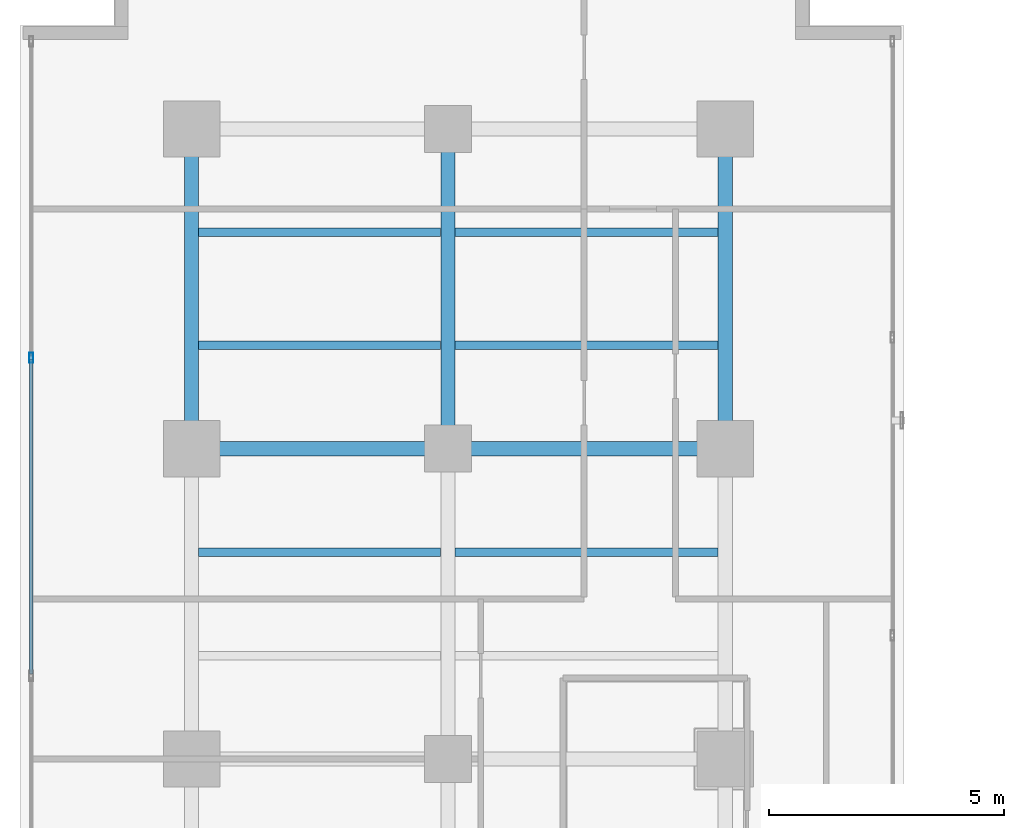
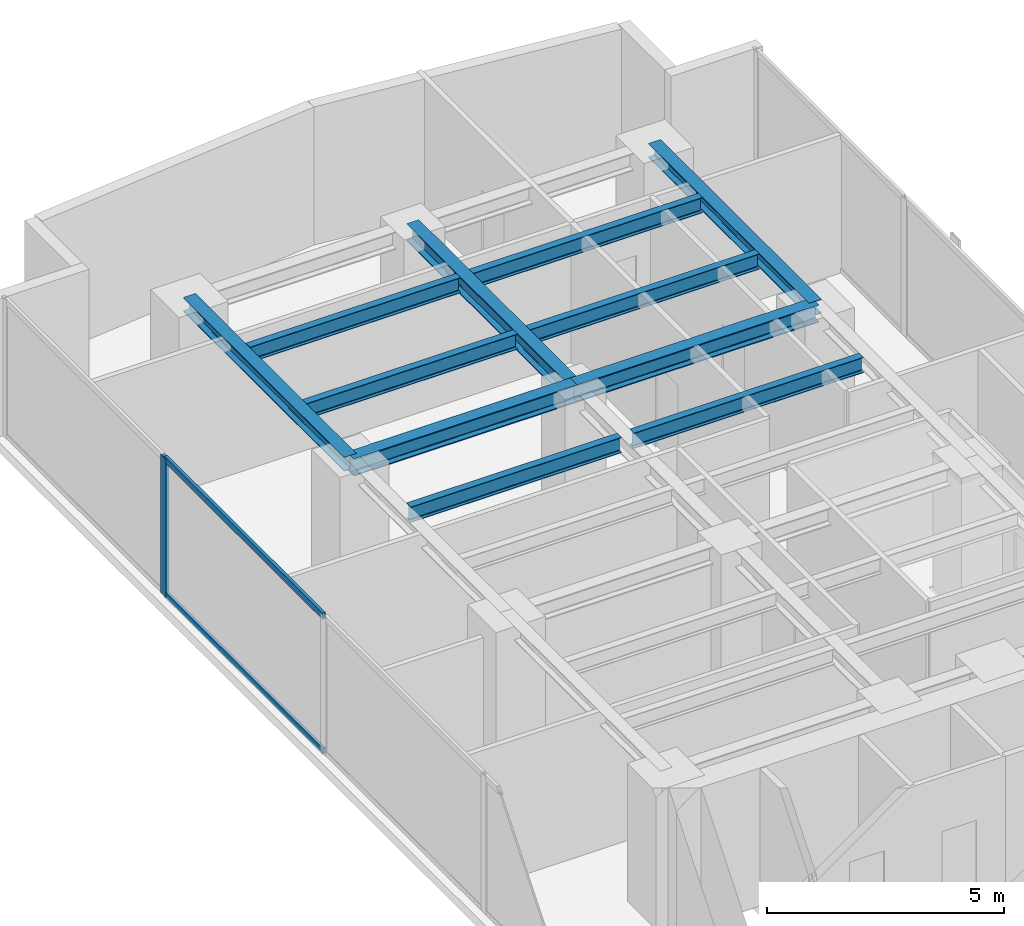
# One storey, part 15 of 26: 11 beams, 3 members, 1 element without a shape of its own.
"""IFC4 building model written with IfcOpenShell, lengths in metres."""

from ifc_helpers import new_model, si_unit, direction, frame, origin, origin_with_axes, origin_2d, place, context, subcontext, project, spatial, hollow_rectangle, i_section, extrude, source, transform, mapped, material, layer, layer_set, material_profile, profile_set, type_object, element, aggregate, save


model = new_model("IFC4")

# Units and contexts
model_context = context("Model", 3, precision=1e-05, world=origin(), true_north=direction((0.0, 1.0)))
body_context = subcontext(model_context, "Body", "Model", "MODEL_VIEW")
ifc_project = project(units=[si_unit("LENGTHUNIT", "METRE"), si_unit("AREAUNIT", "SQUARE_METRE"), si_unit("VOLUMEUNIT", "CUBIC_METRE"), si_unit("PLANEANGLEUNIT", "RADIAN"), si_unit("MASSUNIT", "GRAM", prefix="KILO")], contexts=[model_context])

# Site, building, storey
site_placement = place(None, origin())
site = spatial("IfcSite", under=ifc_project, at=site_placement, CompositionType="ELEMENT")
building_placement = place(site_placement, origin())
building = spatial("IfcBuilding", under=site, at=building_placement, Name="Kolvaren Waterfront Exchange", CompositionType="ELEMENT")
storey_placement = place(building_placement, frame((0.0, 0.0, 165.199951171875)))
storey = spatial("IfcBuildingStorey", under=building, at=storey_placement, Name="L42", CompositionType="ELEMENT", Elevation=165.199951171875)

# Beams
ifc_material_1 = material(Name="Steel S355", Category="steel")
ifc_material_profile_1 = material_profile(ifc_material_1, i_section(OverallWidth=0.300048828125, OverallDepth=0.360107421875, WebThickness=0.012451171875, FlangeThickness=0.0224609375, FilletRadius=0.027099609375, at=origin_2d()), Name="HEB360")
ifc_profile_set_1 = profile_set([ifc_material_profile_1], Name="Steel S355")
beam_type_1 = type_object("IfcBeamType", Name="STR-BM-HEB360", PredefinedType="SPANDREL", material=ifc_profile_set_1)
for number, where, z_axis, x_axis, name in (
    (1, (7.449951171875, 37.800048828125, 3.380126953125), (0.0, 1.0, 0.0), (-1.0, 0.0, 0.0), "L42 north-arm edge beam 3"),
    (2, (18.800048828125, 37.800048828125, 3.380126953125), (0.0, 1.0, 0.0), (-1.0, 0.0, 0.0), "L42 north-arm edge beam 3"),
):
    element("IfcBeam", number, at=place(storey_placement, frame(where, z_axis=z_axis, x_axis=x_axis)), inside=storey, type_object=beam_type_1, Name=name, PredefinedType="SPANDREL", context=body_context, shape_type="SweptSolid", body=[
        extrude(i_section(OverallWidth=0.300048828125, OverallDepth=0.360107421875, WebThickness=0.012451171875, FlangeThickness=0.0224609375, FilletRadius=0.027099609375, at=origin_2d()), origin(), (0.0, 0.0, 1.0), 6.800048828125),
    ])
ifc_material_profile_2 = material_profile(ifc_material_1, i_section(OverallWidth=0.300048828125, OverallDepth=0.449951171875, WebThickness=0.013916015625, FlangeThickness=0.02587890625, FilletRadius=0.027099609375, at=origin_2d()), Name="HEB450")
ifc_profile_set_2 = profile_set([ifc_material_profile_2], Name="Steel S355")
beam_type_2 = type_object("IfcBeamType", Name="STR-BM-HEB450", PredefinedType="BEAM", material=ifc_profile_set_2)
beam_1_placement = place(storey_placement, frame((7.449951171875, 37.800048828125, 3.3349609375), z_axis=(1.0, 0.0, 0.0), x_axis=(0.0, 1.0, 0.0)))
element("IfcBeam", 3, at=beam_1_placement, inside=storey, type_object=beam_type_2, Name="L42 north-arm girder 3A", PredefinedType="BEAM", context=body_context, shape_type="SweptSolid", body=[
    extrude(i_section(OverallWidth=0.300048828125, OverallDepth=0.449951171875, WebThickness=0.013916015625, FlangeThickness=0.02587890625, FilletRadius=0.027099609375, at=origin_2d()), origin(), (0.0, 0.0, 1.0), 5.449951171875),
])
beam_2_placement = place(storey_placement, frame((12.89990234375, 37.800048828125, 3.3349609375), z_axis=(1.0, 0.0, 0.0), x_axis=(0.0, 1.0, 0.0)))
element("IfcBeam", 4, at=beam_2_placement, inside=storey, type_object=beam_type_2, Name="L42 north-arm girder 3B", PredefinedType="BEAM", context=body_context, shape_type="SweptSolid", body=[
    extrude(i_section(OverallWidth=0.300048828125, OverallDepth=0.449951171875, WebThickness=0.013916015625, FlangeThickness=0.02587890625, FilletRadius=0.027099609375, at=origin_2d()), origin(), (0.0, 0.0, 1.0), 5.900146484375),
])
beam_3_placement = place(storey_placement, frame((12.89990234375, 37.800048828125, 3.3349609375), z_axis=(0.0, 1.0, 0.0), x_axis=(-1.0, 0.0, 0.0)))
element("IfcBeam", 5, at=beam_3_placement, inside=storey, type_object=beam_type_2, Name="L42 north-arm edge beam 3", PredefinedType="BEAM", context=body_context, shape_type="SweptSolid", body=[
    extrude(i_section(OverallWidth=0.300048828125, OverallDepth=0.449951171875, WebThickness=0.013916015625, FlangeThickness=0.02587890625, FilletRadius=0.027099609375, at=origin_2d()), origin(), (0.0, 0.0, 1.0), 6.800048828125),
])
ifc_material_profile_3 = material_profile(ifc_material_1, i_section(OverallWidth=0.179931640625, OverallDepth=0.39990234375, WebThickness=0.008544921875, FlangeThickness=0.013427734375, FilletRadius=0.02099609375, at=origin_2d()), Name="IPE400")
ifc_profile_set_3 = profile_set([ifc_material_profile_3], Name="Steel S355")
beam_type_3 = type_object("IfcBeamType", Name="STR-BM-IPE400", PredefinedType="JOIST", material=ifc_profile_set_3)
beam_4_placement = place(storey_placement, frame((7.60205078125, 35.60009765625, 3.360107421875), z_axis=(1.0, 0.0, 0.0), x_axis=(0.0, 1.0, 0.0)))
element("IfcBeam", 6, at=beam_4_placement, inside=storey, type_object=beam_type_3, Name="L42 north-arm composite joist 4A", PredefinedType="JOIST", context=body_context, shape_type="SweptSolid", body=[
    extrude(i_section(OverallWidth=0.179931640625, OverallDepth=0.39990234375, WebThickness=0.008544921875, FlangeThickness=0.013427734375, FilletRadius=0.02099609375, at=origin_2d()), origin(), (0.0, 0.0, 1.0), 5.14599609375),
])
beam_5_placement = place(storey_placement, frame((13.052001953125, 35.60009765625, 3.360107421875), z_axis=(1.0, 0.0, 0.0), x_axis=(0.0, 1.0, 0.0)))
element("IfcBeam", 7, at=beam_5_placement, inside=storey, type_object=beam_type_3, Name="L42 north-arm composite joist 4B", PredefinedType="JOIST", context=body_context, shape_type="SweptSolid", body=[
    extrude(i_section(OverallWidth=0.179931640625, OverallDepth=0.39990234375, WebThickness=0.008544921875, FlangeThickness=0.013427734375, FilletRadius=0.02099609375, at=origin_2d()), origin(), (0.0, 0.0, 1.0), 5.595947265625),
])
beam_6_placement = place(storey_placement, frame((7.60205078125, 40.0, 3.360107421875), z_axis=(1.0, 0.0, 0.0), x_axis=(0.0, 1.0, 0.0)))
element("IfcBeam", 8, at=beam_6_placement, inside=storey, type_object=beam_type_3, Name="L42 north-arm composite joist 5A", PredefinedType="JOIST", context=body_context, shape_type="SweptSolid", body=[
    extrude(i_section(OverallWidth=0.179931640625, OverallDepth=0.39990234375, WebThickness=0.008544921875, FlangeThickness=0.013427734375, FilletRadius=0.02099609375, at=origin_2d()), origin(), (0.0, 0.0, 1.0), 5.14599609375),
])
beam_7_placement = place(storey_placement, frame((13.052001953125, 40.0, 3.360107421875), z_axis=(1.0, 0.0, 0.0), x_axis=(0.0, 1.0, 0.0)))
element("IfcBeam", 9, at=beam_7_placement, inside=storey, type_object=beam_type_3, Name="L42 north-arm composite joist 5B", PredefinedType="JOIST", context=body_context, shape_type="SweptSolid", body=[
    extrude(i_section(OverallWidth=0.179931640625, OverallDepth=0.39990234375, WebThickness=0.008544921875, FlangeThickness=0.013427734375, FilletRadius=0.02099609375, at=origin_2d()), origin(), (0.0, 0.0, 1.0), 5.595947265625),
])
beam_8_placement = place(storey_placement, frame((7.60205078125, 42.39990234375, 3.360107421875), z_axis=(1.0, 0.0, 0.0), x_axis=(0.0, 1.0, 0.0)))
element("IfcBeam", 10, at=beam_8_placement, inside=storey, type_object=beam_type_3, Name="L42 north-arm composite joist 6A", PredefinedType="JOIST", context=body_context, shape_type="SweptSolid", body=[
    extrude(i_section(OverallWidth=0.179931640625, OverallDepth=0.39990234375, WebThickness=0.008544921875, FlangeThickness=0.013427734375, FilletRadius=0.02099609375, at=origin_2d()), origin(), (0.0, 0.0, 1.0), 5.14599609375),
])
beam_9_placement = place(storey_placement, frame((13.052001953125, 42.39990234375, 3.360107421875), z_axis=(1.0, 0.0, 0.0), x_axis=(0.0, 1.0, 0.0)))
element("IfcBeam", 11, at=beam_9_placement, inside=storey, type_object=beam_type_3, Name="L42 north-arm composite joist 6B", PredefinedType="JOIST", context=body_context, shape_type="SweptSolid", body=[
    extrude(i_section(OverallWidth=0.179931640625, OverallDepth=0.39990234375, WebThickness=0.008544921875, FlangeThickness=0.013427734375, FilletRadius=0.02099609375, at=origin_2d()), origin(), (0.0, 0.0, 1.0), 5.595947265625),
])

# Curtain wall, members
ifc_material_2 = material(Name="Anodised aluminium 6063-T6", Category="aluminium")
ifc_layer = layer(ifc_material_2, 0.219970703125, Name="Anodised aluminium 6063-T6")
ifc_layer_set = layer_set([ifc_layer], Name="Anodised aluminium 6063-T6")
curtain_wall_type = type_object("IfcCurtainWallType", Name="ARC-CW-SYS2", PredefinedType="USERDEFINED", material=ifc_layer_set)
curtain_wall_placement = place(storey_placement, origin())
curtain_wall = element("IfcCurtainWall", 12, at=curtain_wall_placement, inside=storey, type_object=curtain_wall_type, Name="L42 stick curtain wall CW2 (CW-L42-W)", ObjectType="STICK CURTAIN WALL", PredefinedType="USERDEFINED")
ifc_material_profile_4 = material_profile(ifc_material_2, hollow_rectangle(XDim=0.080078125, YDim=0.219970703125, WallThickness=0.0048828125, at=origin_2d()), Name="ALU-MUL-220x80x5")
ifc_profile_set_4 = profile_set([ifc_material_profile_4], Name="Anodised aluminium 6063-T6")
member_type_1 = type_object("IfcMemberType", Name="ARC-CWM-220", PredefinedType="MULLION", material=ifc_profile_set_4)
shared_shape_1 = source(origin_with_axes(), body_context, "Body", "SweptSolid", [
    extrude(hollow_rectangle(XDim=0.080078125, YDim=0.219970703125, WallThickness=0.0048828125, at=origin_2d()), origin(), (0.0, 0.0, 1.0), 3.56005859375),
])
member_1_placement = place(storey_placement, frame((4.0400390625, 39.7333984375, 0.0), z_axis=(0.0, 0.0, 1.0), x_axis=(-1.0, 0.0, 0.0)))
member_1 = element("IfcMember", 13, at=member_1_placement, type_object=member_type_1, Name="CW2 mullion 6", PredefinedType="MULLION", context=body_context, shape_type="MappedRepresentation", body=[
    mapped(shared_shape_1, transform((0.0, 0.0, 0.0), x_axis=(1.0, 0.0, 0.0), y_axis=(0.0, 1.0, 0.0), z_axis=(0.0, 0.0, 1.0), scale=1.0)),
])
ifc_material_profile_5 = material_profile(ifc_material_2, hollow_rectangle(XDim=0.074951171875, YDim=0.159912109375, WallThickness=0.00439453125, at=origin_2d()), Name="ALU-TRN-160x75x4.5")
ifc_profile_set_5 = profile_set([ifc_material_profile_5], Name="Anodised aluminium 6063-T6")
member_type_2 = type_object("IfcMemberType", Name="ARC-CWT-160", PredefinedType="USERDEFINED", material=ifc_profile_set_5)
shared_shape_2 = source(origin_with_axes(), body_context, "Body", "SweptSolid", [
    extrude(hollow_rectangle(XDim=0.074951171875, YDim=0.159912109375, WallThickness=0.00439453125, at=origin_2d()), origin(), (0.0, 0.0, 1.0), 6.686767578125),
])
member_2_placement = place(storey_placement, frame((4.0400390625, 33.006591796875, 0.03759765625), z_axis=(0.0, 1.0, 0.0), x_axis=(-1.0, 0.0, 0.0)))
member_2 = element("IfcMember", 14, at=member_2_placement, type_object=member_type_2, Name="CW2 transom 5.1", ObjectType="TRANSOM", PredefinedType="USERDEFINED", context=body_context, shape_type="MappedRepresentation", body=[
    mapped(shared_shape_2, transform((0.0, 0.0, 0.0), x_axis=(1.0, 0.0, 0.0), y_axis=(0.0, 1.0, 0.0), z_axis=(0.0, 0.0, 1.0), scale=1.0)),
])
member_3_placement = place(storey_placement, frame((4.0400390625, 33.006591796875, 3.5224609375), z_axis=(0.0, 1.0, 0.0), x_axis=(-1.0, 0.0, 0.0)))
member_3 = element("IfcMember", 15, at=member_3_placement, type_object=member_type_2, Name="CW2 transom 5.2", ObjectType="TRANSOM", PredefinedType="USERDEFINED", context=body_context, shape_type="MappedRepresentation", body=[
    mapped(shared_shape_2, transform((0.0, 0.0, 0.0), x_axis=(1.0, 0.0, 0.0), y_axis=(0.0, 1.0, 0.0), z_axis=(0.0, 0.0, 1.0), scale=1.0)),
])
aggregate(curtain_wall, [member_1, member_2, member_3])

save(model, "model.ifc")
